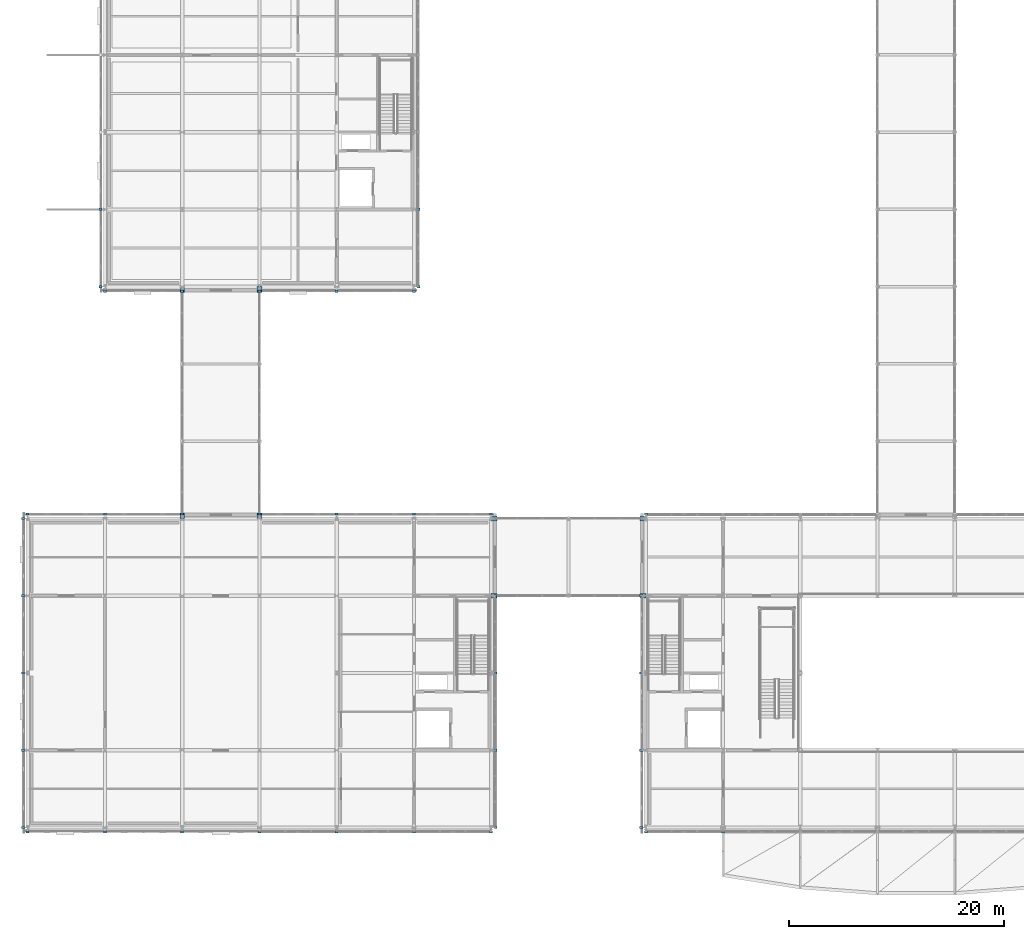
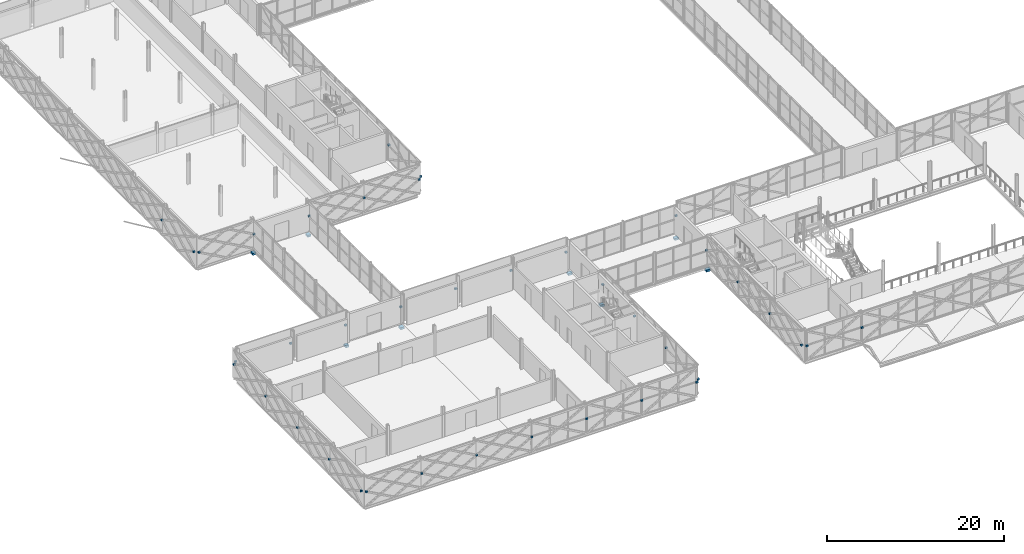
# One storey, part 128 of 146: 47 discrete accessories.
"""IFC4 building model written with IfcOpenShell, lengths in metres."""

from ifc_helpers import new_model, si_unit, direction, frame, origin, origin_2d, place, context, subcontext, project, spatial, rectangle, extrude, material, type_object, element, save


model = new_model("IFC4")

# Units and contexts
model_context = context("Model", 3, precision=1e-05, world=origin(), true_north=direction((0.0, 1.0)))
body_context = subcontext(model_context, "Body", "Model", "MODEL_VIEW")
ifc_project = project(units=[si_unit("LENGTHUNIT", "METRE"), si_unit("AREAUNIT", "SQUARE_METRE"), si_unit("VOLUMEUNIT", "CUBIC_METRE"), si_unit("PLANEANGLEUNIT", "RADIAN"), si_unit("MASSUNIT", "GRAM", prefix="KILO")], contexts=[model_context])

# Site, building, storey
site_placement = place(None, origin())
site = spatial("IfcSite", under=ifc_project, at=site_placement, CompositionType="ELEMENT")
building_placement = place(site_placement, origin())
building = spatial("IfcBuilding", under=site, at=building_placement, Name="Zlatovets Crest Museum", CompositionType="ELEMENT")
storey_placement = place(building_placement, frame((0.0, 0.0, 4.5)))
storey = spatial("IfcBuildingStorey", under=building, at=storey_placement, Name="L01", CompositionType="ELEMENT", Elevation=4.5)

# Discrete accessories
ifc_material = material(Name="Structural steel S355J2", Category="steel")
discrete_accessory_type_1 = type_object("IfcDiscreteAccessoryType", Name="BridgeBearingSeat_BS01", PredefinedType="SHOE", material=ifc_material)
for number, where, z_axis, x_axis, name in (
    (1, (43.4599609375, 21.60009765625, -0.7998046875), (0.0, 0.0, 1.0), (1.0, 0.0, 0.0), "South Forecourt Glazed Link Bridge L01 520mm Sliding Bearing Seat Corbel Shoe"),
    (2, (43.4599609375, 28.800048828125, -0.7998046875), (0.0, 0.0, 1.0), (1.0, 0.0, 0.0), "South Forecourt Glazed Link Bridge L01 520mm Sliding Bearing Seat Corbel Shoe"),
    (3, (57.340087890625, 21.60009765625, -0.7998046875), (0.0, 0.0, 1.0), (1.0, 0.0, 0.0), "South Forecourt Glazed Link Bridge L01 520mm Sliding Bearing Seat Corbel Shoe"),
    (4, (57.340087890625, 28.800048828125, -0.7998046875), (0.0, 0.0, 1.0), (1.0, 0.0, 0.0), "South Forecourt Glazed Link Bridge L01 520mm Sliding Bearing Seat Corbel Shoe"),
):
    element("IfcDiscreteAccessory", number, at=place(storey_placement, frame(where, z_axis=z_axis, x_axis=x_axis)), inside=storey, type_object=discrete_accessory_type_1, Name=name, PredefinedType="SHOE", context=body_context, shape_type="SweptSolid", body=[
        extrude(rectangle(XDim=0.52001953125, YDim=0.449951171875, at=origin_2d()), origin(), (0.0, 0.0, 1.0), 0.280029296875),
    ])
for number, where, z_axis, x_axis, name in (
    (5, (14.39990234375, 29.06005859375, -0.76025390625), (0.0, 0.0, 1.0), (1.0, 0.0, 0.0), "West Hillside Glazed Link Bridge L01 520mm Sliding Bearing Seat Corbel Shoe"),
    (6, (21.60009765625, 29.06005859375, -0.76025390625), (0.0, 0.0, 1.0), (1.0, 0.0, 0.0), "West Hillside Glazed Link Bridge L01 520mm Sliding Bearing Seat Corbel Shoe"),
    (7, (14.39990234375, 50.139892578125, -0.76025390625), (0.0, 0.0, 1.0), (1.0, 0.0, 0.0), "West Hillside Glazed Link Bridge L01 520mm Sliding Bearing Seat Corbel Shoe"),
    (8, (21.60009765625, 50.139892578125, -0.76025390625), (0.0, 0.0, 1.0), (1.0, 0.0, 0.0), "West Hillside Glazed Link Bridge L01 520mm Sliding Bearing Seat Corbel Shoe"),
):
    element("IfcDiscreteAccessory", number, at=place(storey_placement, frame(where, z_axis=z_axis, x_axis=x_axis)), inside=storey, type_object=discrete_accessory_type_1, Name=name, PredefinedType="SHOE", context=body_context, shape_type="SweptSolid", body=[
        extrude(rectangle(XDim=0.449951171875, YDim=0.52001953125, at=origin_2d()), origin(), (0.0, 0.0, 1.0), 0.280029296875),
    ])
discrete_accessory_type_2 = type_object("IfcDiscreteAccessoryType", Name="LatticeBracket_BK01", PredefinedType="BRACKET", material=ifc_material)
for number, where, z_axis, x_axis, name in (
    (9, (57.60009765625, -0.419921875, 1.990234375), (0.0, 0.0, 1.0), (1.0, 0.0, 0.0), "Bronze Lattice Structural Collector Bracket"),
    (10, (64.800048828125, -0.419921875, 1.990234375), (0.0, 0.0, 1.0), (1.0, 0.0, 0.0), "Bronze Lattice Structural Collector Bracket"),
    (11, (57.60009765625, 29.219970703125, 1.990234375), (0.0, 0.0, 1.0), (1.0, 0.0, 0.0), "Bronze Lattice Structural Collector Bracket"),
    (12, (57.179931640625, 21.60009765625, 1.990234375), (0.0, 0.0, 1.0), (1.0, 0.0, 0.0), "Bronze Lattice Structural Collector Bracket"),
    (13, (57.179931640625, 14.39990234375, 1.990234375), (0.0, 0.0, 1.0), (1.0, 0.0, 0.0), "Bronze Lattice Structural Collector Bracket"),
    (14, (57.179931640625, 7.199951171875, 1.990234375), (0.0, 0.0, 1.0), (1.0, 0.0, 0.0), "Bronze Lattice Structural Collector Bracket"),
    (15, (57.179931640625, 0.0, 1.990234375), (0.0, 0.0, 1.0), (1.0, 0.0, 0.0), "Bronze Lattice Structural Collector Bracket"),
    (16, (0.0, -0.419921875, 1.990234375), (0.0, 0.0, 1.0), (1.0, 0.0, 0.0), "Bronze Lattice Structural Collector Bracket"),
    (17, (7.199951171875, -0.419921875, 1.990234375), (0.0, 0.0, 1.0), (1.0, 0.0, 0.0), "Bronze Lattice Structural Collector Bracket"),
    (18, (14.39990234375, -0.419921875, 1.990234375), (0.0, 0.0, 1.0), (1.0, 0.0, 0.0), "Bronze Lattice Structural Collector Bracket"),
    (19, (21.60009765625, -0.419921875, 1.990234375), (0.0, 0.0, 1.0), (1.0, 0.0, 0.0), "Bronze Lattice Structural Collector Bracket"),
    (20, (28.800048828125, -0.419921875, 1.990234375), (0.0, 0.0, 1.0), (1.0, 0.0, 0.0), "Bronze Lattice Structural Collector Bracket"),
    (21, (36.0, -0.419921875, 1.990234375), (0.0, 0.0, 1.0), (1.0, 0.0, 0.0), "Bronze Lattice Structural Collector Bracket"),
    (22, (43.199951171875, -0.419921875, 1.990234375), (0.0, 0.0, 1.0), (1.0, 0.0, 0.0), "Bronze Lattice Structural Collector Bracket"),
    (23, (43.6201171875, 0.0, 1.990234375), (0.0, 0.0, 1.0), (1.0, 0.0, 0.0), "Bronze Lattice Structural Collector Bracket"),
    (24, (43.6201171875, 7.199951171875, 1.990234375), (0.0, 0.0, 1.0), (1.0, 0.0, 0.0), "Bronze Lattice Structural Collector Bracket"),
    (25, (43.6201171875, 14.39990234375, 1.990234375), (0.0, 0.0, 1.0), (1.0, 0.0, 0.0), "Bronze Lattice Structural Collector Bracket"),
    (26, (43.6201171875, 21.60009765625, 1.990234375), (0.0, 0.0, 1.0), (1.0, 0.0, 0.0), "Bronze Lattice Structural Collector Bracket"),
    (27, (43.199951171875, 29.219970703125, 1.990234375), (0.0, 0.0, 1.0), (1.0, 0.0, 0.0), "Bronze Lattice Structural Collector Bracket"),
    (28, (36.0, 29.219970703125, 1.990234375), (0.0, 0.0, 1.0), (1.0, 0.0, 0.0), "Bronze Lattice Structural Collector Bracket"),
    (29, (28.800048828125, 29.219970703125, 1.990234375), (0.0, 0.0, 1.0), (1.0, 0.0, 0.0), "Bronze Lattice Structural Collector Bracket"),
    (30, (21.60009765625, 29.219970703125, 1.990234375), (0.0, 0.0, 1.0), (1.0, 0.0, 0.0), "Bronze Lattice Structural Collector Bracket"),
    (31, (14.39990234375, 29.219970703125, 1.990234375), (0.0, 0.0, 1.0), (1.0, 0.0, 0.0), "Bronze Lattice Structural Collector Bracket"),
    (32, (7.199951171875, 29.219970703125, 1.990234375), (0.0, 0.0, 1.0), (1.0, 0.0, 0.0), "Bronze Lattice Structural Collector Bracket"),
    (33, (0.0, 29.219970703125, 1.990234375), (0.0, 0.0, 1.0), (1.0, 0.0, 0.0), "Bronze Lattice Structural Collector Bracket"),
    (34, (-0.419921875, 28.800048828125, 1.990234375), (0.0, 0.0, 1.0), (1.0, 0.0, 0.0), "Bronze Lattice Structural Collector Bracket"),
    (35, (-0.419921875, 21.60009765625, 1.990234375), (0.0, 0.0, 1.0), (1.0, 0.0, 0.0), "Bronze Lattice Structural Collector Bracket"),
    (36, (-0.419921875, 14.39990234375, 1.990234375), (0.0, 0.0, 1.0), (1.0, 0.0, 0.0), "Bronze Lattice Structural Collector Bracket"),
    (37, (-0.419921875, 7.199951171875, 1.990234375), (0.0, 0.0, 1.0), (1.0, 0.0, 0.0), "Bronze Lattice Structural Collector Bracket"),
    (38, (-0.419921875, 0.0, 1.990234375), (0.0, 0.0, 1.0), (1.0, 0.0, 0.0), "Bronze Lattice Structural Collector Bracket"),
    (39, (7.199951171875, 49.97998046875, 1.990234375), (0.0, 0.0, 1.0), (1.0, 0.0, 0.0), "Bronze Lattice Structural Collector Bracket"),
    (40, (14.39990234375, 49.97998046875, 1.990234375), (0.0, 0.0, 1.0), (1.0, 0.0, 0.0), "Bronze Lattice Structural Collector Bracket"),
    (41, (21.60009765625, 49.97998046875, 1.990234375), (0.0, 0.0, 1.0), (1.0, 0.0, 0.0), "Bronze Lattice Structural Collector Bracket"),
    (42, (28.800048828125, 49.97998046875, 1.990234375), (0.0, 0.0, 1.0), (1.0, 0.0, 0.0), "Bronze Lattice Structural Collector Bracket"),
    (43, (36.0, 49.97998046875, 1.990234375), (0.0, 0.0, 1.0), (1.0, 0.0, 0.0), "Bronze Lattice Structural Collector Bracket"),
    (44, (36.419921875, 50.39990234375, 1.990234375), (0.0, 0.0, 1.0), (1.0, 0.0, 0.0), "Bronze Lattice Structural Collector Bracket"),
    (45, (36.419921875, 57.60009765625, 1.990234375), (0.0, 0.0, 1.0), (1.0, 0.0, 0.0), "Bronze Lattice Structural Collector Bracket"),
    (46, (6.780029296875, 57.60009765625, 1.990234375), (0.0, 0.0, 1.0), (1.0, 0.0, 0.0), "Bronze Lattice Structural Collector Bracket"),
    (47, (6.780029296875, 50.39990234375, 1.990234375), (0.0, 0.0, 1.0), (1.0, 0.0, 0.0), "Bronze Lattice Structural Collector Bracket"),
):
    element("IfcDiscreteAccessory", number, at=place(storey_placement, frame(where, z_axis=z_axis, x_axis=x_axis)), inside=storey, type_object=discrete_accessory_type_2, Name=name, PredefinedType="BRACKET", context=body_context, shape_type="SweptSolid", body=[
        extrude(rectangle(XDim=0.280029296875, YDim=0.219970703125, at=origin_2d()), origin(), (0.0, 0.0, 1.0), 0.219970703125),
    ])

save(model, "model.ifc")
